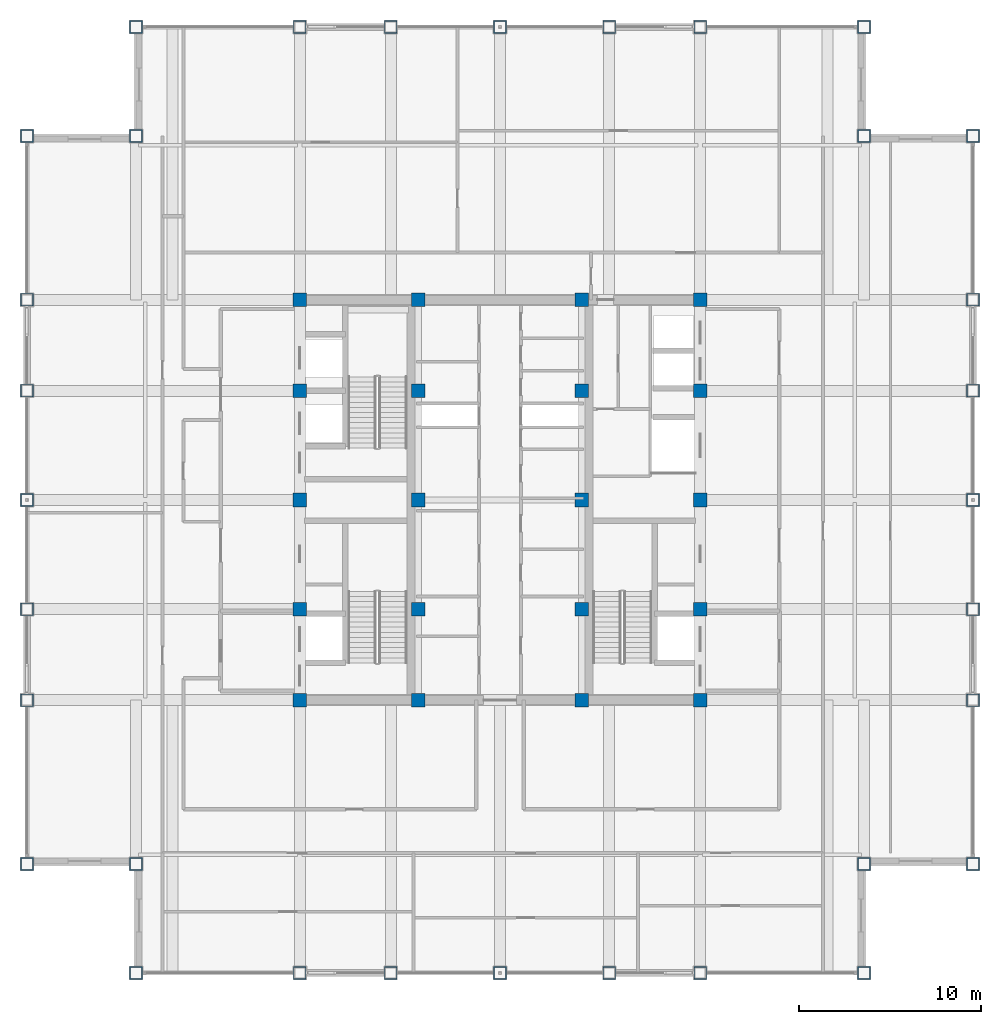
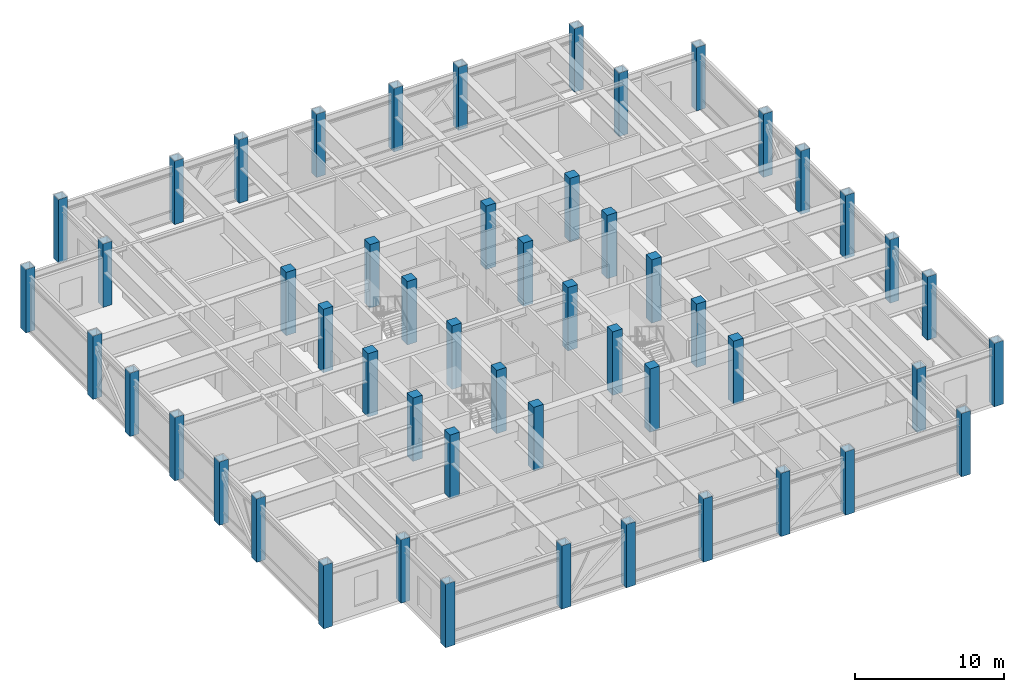
# One storey, part 1 of 29: 52 columns.
"""IFC4 building model written with IfcOpenShell, lengths in metres."""

from ifc_helpers import new_model, si_unit, direction, frame, origin, origin_2d, place, context, subcontext, project, spatial, rectangle, hollow_rectangle, extrude, source, transform, mapped, material, material_profile, profile_set, type_object, element, save


model = new_model("IFC4")

# Units and contexts
model_context = context("Model", 3, precision=1e-05, world=origin(), true_north=direction((0.0, 1.0)))
body_context = subcontext(model_context, "Body", "Model", "MODEL_VIEW")
ifc_project = project(units=[si_unit("LENGTHUNIT", "METRE"), si_unit("AREAUNIT", "SQUARE_METRE"), si_unit("VOLUMEUNIT", "CUBIC_METRE"), si_unit("PLANEANGLEUNIT", "RADIAN"), si_unit("MASSUNIT", "GRAM", prefix="KILO")], contexts=[model_context])

# Site, building, storey
site_placement = place(None, origin())
site = spatial("IfcSite", under=ifc_project, at=site_placement, CompositionType="ELEMENT")
building_placement = place(site_placement, origin())
building = spatial("IfcBuilding", under=site, at=building_placement, Name="Khorayat Bourse Tower", CompositionType="ELEMENT")
storey_placement = place(building_placement, frame((0.0, 0.0, 370.300048828125)))
storey = spatial("IfcBuildingStorey", under=building, at=storey_placement, Name="L88", CompositionType="ELEMENT", Elevation=370.300048828125)

# Columns
ifc_material_1 = material(Name="Concrete C52/65", Category="concrete")
ifc_material_profile_1 = material_profile(ifc_material_1, rectangle(XDim=0.75, YDim=0.75, at=origin_2d()), Name="RC 750x750")
ifc_profile_set_1 = profile_set([ifc_material_profile_1], Name="Concrete C52/65")
column_type_1 = type_object("IfcColumnType", Name="COL-CORE-750", PredefinedType="COLUMN", material=ifc_profile_set_1)
shared_shape_1 = source(origin(), body_context, "Body", "SweptSolid", [
    extrude(rectangle(XDim=0.75, YDim=0.75, at=origin_2d()), origin(), (0.0, 0.0, 1.0), 5.199951171875),
])
for number, where, z_axis, x_axis, name in (
    (1, (-11.0, -11.0, 0.0), (0.0, 0.0, 1.0), (1.0, 0.0, 0.0), "L88 Column 013"),
    (2, (-11.0, -6.0, 0.0), (0.0, 0.0, 1.0), (1.0, 0.0, 0.0), "L88 Column 014"),
    (3, (-11.0, 0.0, 0.0), (0.0, 0.0, 1.0), (1.0, 0.0, 0.0), "L88 Column 015"),
    (4, (-11.0, 6.0, 0.0), (0.0, 0.0, 1.0), (1.0, 0.0, 0.0), "L88 Column 016"),
    (5, (-11.0, 11.0, 0.0), (0.0, 0.0, 1.0), (1.0, 0.0, 0.0), "L88 Column 017"),
    (6, (-4.5, -11.0, 0.0), (0.0, 0.0, 1.0), (1.0, 0.0, 0.0), "L88 Column 021"),
    (7, (-4.5, -6.0, 0.0), (0.0, 0.0, 1.0), (1.0, 0.0, 0.0), "L88 Column 022"),
    (8, (-4.5, 0.0, 0.0), (0.0, 0.0, 1.0), (1.0, 0.0, 0.0), "L88 Column 023"),
    (9, (-4.5, 6.0, 0.0), (0.0, 0.0, 1.0), (1.0, 0.0, 0.0), "L88 Column 024"),
    (10, (-4.5, 11.0, 0.0), (0.0, 0.0, 1.0), (1.0, 0.0, 0.0), "L88 Column 025"),
    (11, (4.5, -11.0, 0.0), (0.0, 0.0, 1.0), (1.0, 0.0, 0.0), "L88 Column 028"),
    (12, (4.5, -6.0, 0.0), (0.0, 0.0, 1.0), (1.0, 0.0, 0.0), "L88 Column 029"),
    (13, (4.5, 0.0, 0.0), (0.0, 0.0, 1.0), (1.0, 0.0, 0.0), "L88 Column 030"),
    (14, (4.5, 6.0, 0.0), (0.0, 0.0, 1.0), (1.0, 0.0, 0.0), "L88 Column 031"),
    (15, (4.5, 11.0, 0.0), (0.0, 0.0, 1.0), (1.0, 0.0, 0.0), "L88 Column 032"),
    (16, (11.0, -11.0, 0.0), (0.0, 0.0, 1.0), (1.0, 0.0, 0.0), "L88 Column 036"),
    (17, (11.0, -6.0, 0.0), (0.0, 0.0, 1.0), (1.0, 0.0, 0.0), "L88 Column 037"),
    (18, (11.0, 0.0, 0.0), (0.0, 0.0, 1.0), (1.0, 0.0, 0.0), "L88 Column 038"),
    (19, (11.0, 6.0, 0.0), (0.0, 0.0, 1.0), (1.0, 0.0, 0.0), "L88 Column 039"),
    (20, (11.0, 11.0, 0.0), (0.0, 0.0, 1.0), (1.0, 0.0, 0.0), "L88 Column 040"),
):
    element("IfcColumn", number, at=place(storey_placement, frame(where, z_axis=z_axis, x_axis=x_axis)), inside=storey, type_object=column_type_1, Name=name, PredefinedType="COLUMN", context=body_context, shape_type="MappedRepresentation", body=[
        mapped(shared_shape_1, transform((0.0, 0.0, 0.0), scale=1.0)),
    ])
ifc_material_2 = material(Name="Steel EN 10025-2 S355J2", Category="steel")
ifc_material_profile_2 = material_profile(ifc_material_2, hollow_rectangle(XDim=0.699951171875, YDim=0.699951171875, WallThickness=0.0400390625, at=origin_2d()), Name="BOX 700x700x40")
ifc_profile_set_2 = profile_set([ifc_material_profile_2], Name="Steel EN 10025-2 S355J2")
column_type_2 = type_object("IfcColumnType", Name="COL-TUBE-700", PredefinedType="COLUMN", material=ifc_profile_set_2)
shared_shape_2 = source(origin(), body_context, "Body", "SweptSolid", [
    extrude(hollow_rectangle(XDim=0.699951171875, YDim=0.699951171875, WallThickness=0.0400390625, at=origin_2d()), origin(), (0.0, 0.0, 1.0), 5.199951171875),
])
for number, where, z_axis, x_axis, name in (
    (21, (-26.0, -20.0, 0.0), (0.0, 0.0, 1.0), (1.0, 0.0, 0.0), "L88 Column 001"),
    (22, (-26.0, -11.0, 0.0), (0.0, 0.0, 1.0), (1.0, 0.0, 0.0), "L88 Column 002"),
    (23, (-26.0, -6.0, 0.0), (0.0, 0.0, 1.0), (1.0, 0.0, 0.0), "L88 Column 003"),
    (24, (-26.0, 0.0, 0.0), (0.0, 0.0, 1.0), (1.0, 0.0, 0.0), "L88 Column 004"),
    (25, (-26.0, 6.0, 0.0), (0.0, 0.0, 1.0), (1.0, 0.0, 0.0), "L88 Column 005"),
    (26, (-26.0, 11.0, 0.0), (0.0, 0.0, 1.0), (1.0, 0.0, 0.0), "L88 Column 006"),
    (27, (-26.0, 20.0, 0.0), (0.0, 0.0, 1.0), (1.0, 0.0, 0.0), "L88 Column 007"),
    (28, (-20.0, -26.0, 0.0), (0.0, 0.0, 1.0), (1.0, 0.0, 0.0), "L88 Column 008"),
    (29, (-20.0, -20.0, 0.0), (0.0, 0.0, 1.0), (1.0, 0.0, 0.0), "L88 Column 009"),
    (30, (-20.0, 20.0, 0.0), (0.0, 0.0, 1.0), (1.0, 0.0, 0.0), "L88 Column 010"),
    (31, (-20.0, 26.0, 0.0), (0.0, 0.0, 1.0), (1.0, 0.0, 0.0), "L88 Column 011"),
    (32, (-11.0, -26.0, 0.0), (0.0, 0.0, 1.0), (1.0, 0.0, 0.0), "L88 Column 012"),
    (33, (-11.0, 26.0, 0.0), (0.0, 0.0, 1.0), (1.0, 0.0, 0.0), "L88 Column 018"),
    (34, (-6.0, -26.0, 0.0), (0.0, 0.0, 1.0), (1.0, 0.0, 0.0), "L88 Column 019"),
    (35, (-6.0, 26.0, 0.0), (0.0, 0.0, 1.0), (1.0, 0.0, 0.0), "L88 Column 020"),
    (36, (0.0, -26.0, 0.0), (0.0, 0.0, 1.0), (1.0, 0.0, 0.0), "L88 Column 026"),
    (37, (0.0, 26.0, 0.0), (0.0, 0.0, 1.0), (1.0, 0.0, 0.0), "L88 Column 027"),
    (38, (6.0, -26.0, 0.0), (0.0, 0.0, 1.0), (1.0, 0.0, 0.0), "L88 Column 033"),
    (39, (6.0, 26.0, 0.0), (0.0, 0.0, 1.0), (1.0, 0.0, 0.0), "L88 Column 034"),
    (40, (11.0, -26.0, 0.0), (0.0, 0.0, 1.0), (1.0, 0.0, 0.0), "L88 Column 035"),
    (41, (11.0, 26.0, 0.0), (0.0, 0.0, 1.0), (1.0, 0.0, 0.0), "L88 Column 041"),
    (42, (20.0, -26.0, 0.0), (0.0, 0.0, 1.0), (1.0, 0.0, 0.0), "L88 Column 042"),
    (43, (20.0, -20.0, 0.0), (0.0, 0.0, 1.0), (1.0, 0.0, 0.0), "L88 Column 043"),
    (44, (20.0, 20.0, 0.0), (0.0, 0.0, 1.0), (1.0, 0.0, 0.0), "L88 Column 044"),
    (45, (20.0, 26.0, 0.0), (0.0, 0.0, 1.0), (1.0, 0.0, 0.0), "L88 Column 045"),
    (46, (26.0, -20.0, 0.0), (0.0, 0.0, 1.0), (1.0, 0.0, 0.0), "L88 Column 046"),
    (47, (26.0, -11.0, 0.0), (0.0, 0.0, 1.0), (1.0, 0.0, 0.0), "L88 Column 047"),
    (48, (26.0, -6.0, 0.0), (0.0, 0.0, 1.0), (1.0, 0.0, 0.0), "L88 Column 048"),
    (49, (26.0, 0.0, 0.0), (0.0, 0.0, 1.0), (1.0, 0.0, 0.0), "L88 Column 049"),
    (50, (26.0, 6.0, 0.0), (0.0, 0.0, 1.0), (1.0, 0.0, 0.0), "L88 Column 050"),
    (51, (26.0, 11.0, 0.0), (0.0, 0.0, 1.0), (1.0, 0.0, 0.0), "L88 Column 051"),
    (52, (26.0, 20.0, 0.0), (0.0, 0.0, 1.0), (1.0, 0.0, 0.0), "L88 Column 052"),
):
    element("IfcColumn", number, at=place(storey_placement, frame(where, z_axis=z_axis, x_axis=x_axis)), inside=storey, type_object=column_type_2, Name=name, PredefinedType="COLUMN", context=body_context, shape_type="MappedRepresentation", body=[
        mapped(shared_shape_2, transform((0.0, 0.0, 0.0), scale=1.0)),
    ])

save(model, "model.ifc")
